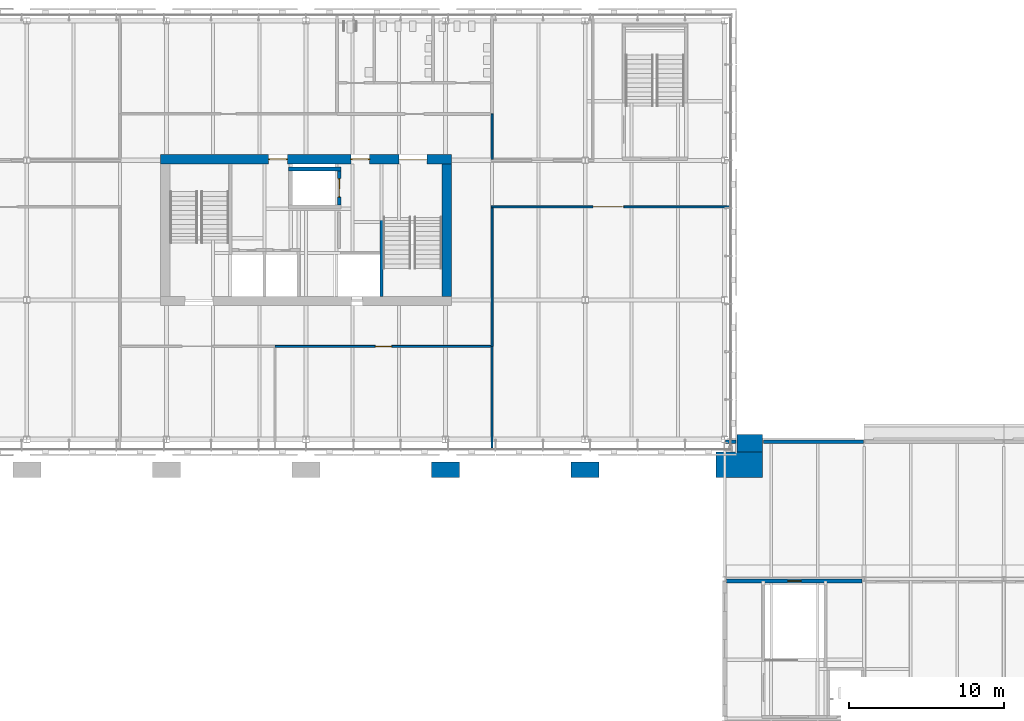
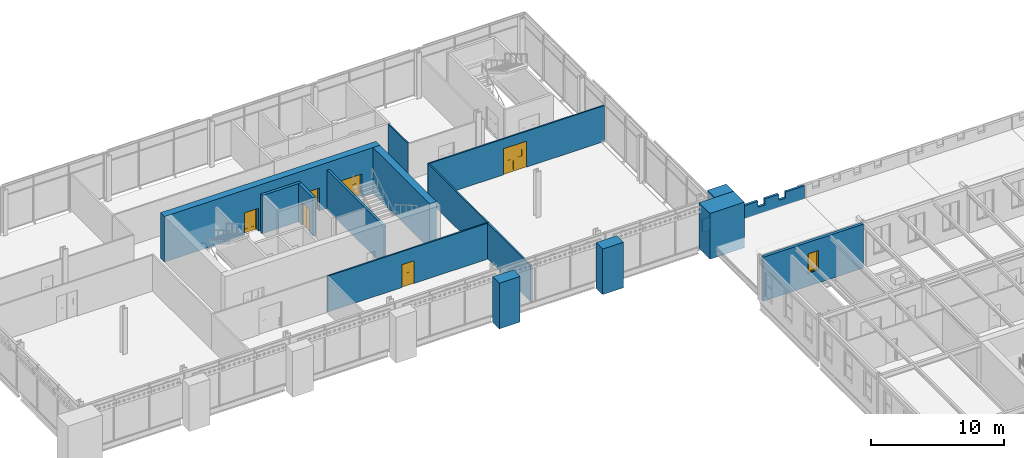
# One storey, part 69 of 123: 17 walls, 6 doors, 1 window, 7 openings.
"""IFC4 building model written with IfcOpenShell, lengths in metres."""

from ifc_helpers import new_model, si_unit, direction, frame, frame_2d, origin, place, context, subcontext, project, spatial, polyline, rectangle, outline, extrude, material, layer, layer_set, type_object, element, fill, save


model = new_model("IFC4")

# Units and contexts
model_context = context("Model", 3, precision=1e-05, world=origin(), true_north=direction((0.0, 1.0)))
body_context = subcontext(model_context, "Body", "Model", "MODEL_VIEW")
ifc_project = project(units=[si_unit("LENGTHUNIT", "METRE"), si_unit("AREAUNIT", "SQUARE_METRE"), si_unit("VOLUMEUNIT", "CUBIC_METRE"), si_unit("PLANEANGLEUNIT", "RADIAN"), si_unit("MASSUNIT", "GRAM", prefix="KILO")], contexts=[model_context])

# Site, building, storey
site_placement = place(None, origin())
site = spatial("IfcSite", under=ifc_project, at=site_placement, CompositionType="ELEMENT")
building_placement = place(site_placement, origin())
building = spatial("IfcBuilding", under=site, at=building_placement, Name="Baradari Gate Terminus", CompositionType="ELEMENT")
storey_placement = place(building_placement, frame((0.0, 0.0, 7.5)))
storey = spatial("IfcBuildingStorey", under=building, at=storey_placement, Name="L01", CompositionType="ELEMENT", Elevation=7.5)

# Wall, opening, door
ifc_material_1 = material(Name="Gypsum board")
ifc_layer_1 = layer(ifc_material_1, 0.125)
ifc_layer_set_1 = layer_set([ifc_layer_1], Name="Gypsum board")
wall_type_1 = type_object("IfcWallType", Name="Corridor partition PT-5 125 EI 30", PredefinedType="PARTITIONING", material=ifc_layer_set_1)
wall_1_placement = place(storey_placement, frame((47.925048828125, 123.0, 0.0), z_axis=(0.0, 0.0, 1.0), x_axis=(-1.0, 0.0, 0.0)))
wall_1 = element("IfcWall", 1, at=wall_1_placement, inside=storey, type_object=wall_type_1, Name="PT-5 partition Corridor / Staff Library", PredefinedType="PARTITIONING", context=body_context, shape_type="SweptSolid", body=[
    extrude(rectangle(XDim=13.925048828125, YDim=0.125, at=frame_2d((6.96240234375, 0.0))), origin(), (0.0, 0.0, 1.0), 3.306884765625),
])
opening_1_placement = place(wall_1_placement, frame((6.39990234375, 0.0, 0.0)))
opening_1 = element("IfcOpeningElement", 2, at=opening_1_placement, cuts=wall_1, Name="Opening D01-034", PredefinedType="OPENING", context=body_context, shape_type="SweptSolid", body=[
    extrude(rectangle(XDim=1.050048828125, YDim=2.10009765625, at=frame_2d((0.52490234375, 1.050048828125))), frame((0.0, 0.072509765625, 0.0), z_axis=(0.0, -1.0, 0.0), x_axis=(1.0, 0.0, 0.0)), (0.0, 0.0, 1.0), 0.14501953125),
])
ifc_material_2 = material(Name="Steel S275", Category="steel")
door_type_1 = type_object("IfcDoorType", Name="Fire door FI-1050-FD30S 1050x2100 FD30S", OperationType="SINGLE_SWING_LEFT", PredefinedType="DOOR", material=ifc_material_2)
door_1_placement = place(opening_1_placement, frame((1.050048828125, 0.0, 0.0), z_axis=(0.0, 0.0, 1.0), x_axis=(-1.0, 0.0, 0.0)))
door_1 = element("IfcDoor", 3, at=door_1_placement, inside=storey, type_object=door_type_1, Name="Door Staff Library", OperationType="SINGLE_SWING_RIGHT", OverallHeight=2.1, OverallWidth=1.05, PredefinedType="DOOR", context=body_context, shape_type="SweptSolid", body=[
    extrude(outline(polyline([(0.0, 0.0), (0.070068359375, 0.0), (0.070068359375, 2.030029296875), (0.97998046875, 2.030029296875), (0.97998046875, 0.0), (1.050048828125, 0.0), (1.050048828125, 2.10009765625), (0.0, 2.10009765625), (0.0, 0.0)])), frame((0.0, 0.02490234375, 0.0), z_axis=(0.0, -1.0, 0.0), x_axis=(1.0, 0.0, 0.0)), (0.0, 0.0, 1.0), 0.050048828125),
    extrude(outline(polyline([(0.073974609375, 0.010009765625), (0.97607421875, 0.010009765625), (0.97607421875, 2.026123046875), (0.073974609375, 2.026123046875), (0.073974609375, 0.010009765625)]), holes=[polyline([(0.194091796875, 0.159912109375), (0.85595703125, 0.159912109375), (0.85595703125, 1.010009765625), (0.194091796875, 1.010009765625), (0.194091796875, 0.159912109375)]), polyline([(0.375, 1.159912109375), (0.675048828125, 1.159912109375), (0.675048828125, 1.760009765625), (0.375, 1.760009765625), (0.375, 1.159912109375)])]), frame((0.0, 0.017333984375, 0.0), z_axis=(0.0, -1.0, 0.0), x_axis=(1.0, 0.0, 0.0)), (0.0, 0.0, 1.0), 0.034912109375),
    extrude(rectangle(XDim=0.661865234375, YDim=0.85009765625, at=frame_2d((0.52490234375, 0.5849609375))), frame((0.0, 0.008544921875, 0.0), z_axis=(0.0, -1.0, 0.0), x_axis=(1.0, 0.0, 0.0)), (0.0, 0.0, 1.0), 0.017333984375),
    extrude(rectangle(XDim=0.300048828125, YDim=0.60009765625, at=frame_2d((0.52490234375, 1.4599609375))), frame((0.0, 0.005859375, 0.0), z_axis=(0.0, -1.0, 0.0), x_axis=(1.0, 0.0, 0.0)), (0.0, 0.0, 1.0), 0.011962890625),
])
fill(opening_1, door_1)

wall_2_placement = place(storey_placement, frame((63.300048828125, 132.0, 0.0), z_axis=(0.0, 0.0, 1.0), x_axis=(-1.0, 0.0, 0.0)))
wall_2 = element("IfcWall", 4, at=wall_2_placement, inside=storey, type_object=wall_type_1, Name="PT-5 partition Corridor / Conference Hall", PredefinedType="PARTITIONING", context=body_context, shape_type="SweptSolid", body=[
    extrude(rectangle(XDim=15.362548828125, YDim=0.125, at=frame_2d((7.68115234375, 0.0))), origin(), (0.0, 0.0, 1.0), 3.306884765625),
])
opening_2_placement = place(wall_2_placement, frame((6.800048828125, 0.0, 0.0)))
opening_2 = element("IfcOpeningElement", 5, at=opening_2_placement, cuts=wall_2, Name="Opening D01-030", PredefinedType="OPENING", context=body_context, shape_type="SweptSolid", body=[
    extrude(rectangle(XDim=2.0, YDim=2.39990234375, at=frame_2d((1.0, 1.199951171875))), frame((0.0, 0.072509765625, 0.0), z_axis=(0.0, -1.0, 0.0), x_axis=(1.0, 0.0, 0.0)), (0.0, 0.0, 1.0), 0.14501953125),
])
ifc_material_3 = material(Name="Steel S275", Category="steel")
door_type_2 = type_object("IfcDoorType", Name="Fire door FI-2000x2400-FD30S 2000x2400 FD30S", OperationType="DOUBLE_DOOR_SINGLE_SWING", PredefinedType="DOOR", material=ifc_material_3)
door_2_placement = place(opening_2_placement, origin())
door_2 = element("IfcDoor", 6, at=door_2_placement, inside=storey, type_object=door_type_2, Name="Door Conference Hall", OperationType="DOUBLE_DOOR_SINGLE_SWING", OverallHeight=2.4, OverallWidth=2.0, PredefinedType="DOOR", context=body_context, shape_type="SweptSolid", body=[
    extrude(outline(polyline([(0.0, 0.0), (0.070068359375, 0.0), (0.070068359375, 2.329833984375), (1.929931640625, 2.329833984375), (1.929931640625, 0.0), (2.0, 0.0), (2.0, 2.39990234375), (0.0, 2.39990234375), (0.0, 0.0)])), frame((0.0, 0.02490234375, 0.0), z_axis=(0.0, -1.0, 0.0), x_axis=(1.0, 0.0, 0.0)), (0.0, 0.0, 1.0), 0.050048828125),
    extrude(outline(polyline([(0.073974609375, 0.010009765625), (0.9970703125, 0.010009765625), (0.9970703125, 2.325927734375), (0.073974609375, 2.325927734375), (0.073974609375, 0.010009765625)]), holes=[polyline([(0.194091796875, 0.159912109375), (0.876953125, 0.159912109375), (0.876953125, 1.010009765625), (0.194091796875, 1.010009765625), (0.194091796875, 0.159912109375)]), polyline([(0.385498046875, 1.159912109375), (0.685546875, 1.159912109375), (0.685546875, 1.760009765625), (0.385498046875, 1.760009765625), (0.385498046875, 1.159912109375)])]), frame((0.0, 0.017333984375, 0.0), z_axis=(0.0, -1.0, 0.0), x_axis=(1.0, 0.0, 0.0)), (0.0, 0.0, 1.0), 0.034912109375),
    extrude(rectangle(XDim=0.682861328125, YDim=0.85009765625, at=frame_2d((0.53564453125, 0.5849609375))), frame((0.0, 0.008544921875, 0.0), z_axis=(0.0, -1.0, 0.0), x_axis=(1.0, 0.0, 0.0)), (0.0, 0.0, 1.0), 0.017333984375),
    extrude(rectangle(XDim=0.300048828125, YDim=0.60009765625, at=frame_2d((0.53564453125, 1.4599609375))), frame((0.0, 0.005859375, 0.0), z_axis=(0.0, -1.0, 0.0), x_axis=(1.0, 0.0, 0.0)), (0.0, 0.0, 1.0), 0.011962890625),
    extrude(outline(polyline([(1.0029296875, 0.010009765625), (1.926025390625, 0.010009765625), (1.926025390625, 2.325927734375), (1.0029296875, 2.325927734375), (1.0029296875, 0.010009765625)]), holes=[polyline([(1.123046875, 0.159912109375), (1.805908203125, 0.159912109375), (1.805908203125, 1.010009765625), (1.123046875, 1.010009765625), (1.123046875, 0.159912109375)]), polyline([(1.314453125, 1.159912109375), (1.614501953125, 1.159912109375), (1.614501953125, 1.760009765625), (1.314453125, 1.760009765625), (1.314453125, 1.159912109375)])]), frame((0.0, 0.017333984375, 0.0), z_axis=(0.0, -1.0, 0.0), x_axis=(1.0, 0.0, 0.0)), (0.0, 0.0, 1.0), 0.034912109375),
    extrude(rectangle(XDim=0.682861328125, YDim=0.85009765625, at=frame_2d((1.46435546875, 0.5849609375))), frame((0.0, 0.008544921875, 0.0), z_axis=(0.0, -1.0, 0.0), x_axis=(1.0, 0.0, 0.0)), (0.0, 0.0, 1.0), 0.017333984375),
    extrude(rectangle(XDim=0.300048828125, YDim=0.60009765625, at=frame_2d((1.46435546875, 1.4599609375))), frame((0.0, 0.005859375, 0.0), z_axis=(0.0, -1.0, 0.0), x_axis=(1.0, 0.0, 0.0)), (0.0, 0.0, 1.0), 0.011962890625),
])
fill(opening_2, door_2)

# Walls
wall_3_placement = place(storey_placement, frame((48.0, 131.9375, 0.0), z_axis=(0.0, 0.0, 1.0), x_axis=(0.0, -1.0, 0.0)))
element("IfcWall", 7, at=wall_3_placement, inside=storey, type_object=wall_type_1, Name="PT-5 partition Corridor / Conference Hall", PredefinedType="PARTITIONING", context=body_context, shape_type="SweptSolid", body=[
    extrude(rectangle(XDim=8.9375, YDim=0.125, at=frame_2d((4.46875, 0.0))), origin(), (0.0, 0.0, 1.0), 3.306884765625),
])
wall_4_placement = place(storey_placement, frame((48.0, 138.0, 0.0), z_axis=(0.0, 0.0, 1.0), x_axis=(0.0, -1.0, 0.0)))
element("IfcWall", 8, at=wall_4_placement, inside=storey, type_object=wall_type_1, Name="PT-5 partition Corridor / Prayer Room", PredefinedType="PARTITIONING", context=body_context, shape_type="SweptSolid", body=[
    extrude(rectangle(XDim=2.9375, YDim=0.125, at=frame_2d((1.46875, 0.0))), origin(), (0.0, 0.0, 1.0), 3.306884765625),
])
ifc_material_4 = material(Name="Concrete C32/40", Category="concrete")
ifc_layer_2 = layer(ifc_material_4, 0.25)
ifc_layer_set_2 = layer_set([ifc_layer_2], Name="Concrete C32/40")
wall_type_2 = type_object("IfcWallType", Name="Firefighting lift shaft wall SH-2 250 EI 120", PredefinedType="SOLIDWALL", material=ifc_layer_set_2)
wall_5_placement = place(storey_placement, frame((34.875, 134.449951171875, 0.0), z_axis=(0.0, 0.0, 1.0), x_axis=(1.0, 0.0, 0.0)))
element("IfcWall", 9, at=wall_5_placement, inside=storey, type_object=wall_type_2, Name="Lift shaft wall LT3 L01 N", PredefinedType="SOLIDWALL", context=body_context, shape_type="SweptSolid", body=[
    extrude(rectangle(XDim=3.39990234375, YDim=0.25, at=frame_2d((1.699951171875, 0.0))), origin(), (0.0, 0.0, 1.0), 3.51611328125),
])

# Wall, opening, door
wall_6_placement = place(storey_placement, frame((38.14990234375, 132.125, 0.0), z_axis=(0.0, 0.0, 1.0), x_axis=(0.0, 1.0, 0.0)))
wall_6 = element("IfcWall", 10, at=wall_6_placement, inside=storey, type_object=wall_type_2, Name="Lift shaft wall LT3 L01 E", PredefinedType="SOLIDWALL", context=body_context, shape_type="SweptSolid", body=[
    extrude(rectangle(XDim=2.199951171875, YDim=0.25, at=frame_2d((1.10009765625, 0.0))), origin(), (0.0, 0.0, 1.0), 3.51611328125),
])
opening_3_placement = place(wall_6_placement, frame((0.5, 0.0, 0.0)))
opening_3 = element("IfcOpeningElement", 11, at=opening_3_placement, cuts=wall_6, Name="Opening D01-016", PredefinedType="OPENING", context=body_context, shape_type="SweptSolid", body=[
    extrude(rectangle(XDim=1.199951171875, YDim=2.10009765625, at=frame_2d((0.60009765625, 1.050048828125))), frame((0.0, 0.135009765625, 0.0), z_axis=(0.0, -1.0, 0.0), x_axis=(1.0, 0.0, 0.0)), (0.0, 0.0, 1.0), 0.27001953125),
])
ifc_material_5 = material(Name="Stainless steel 1.4301", Category="steel")
door_type_3 = type_object("IfcDoorType", Name="Lift landing door LD2 1200x2100 E 120", OperationType="SLIDING_TO_LEFT", PredefinedType="DOOR", material=ifc_material_5)
door_3_placement = place(opening_3_placement, origin())
door_3 = element("IfcDoor", 12, at=door_3_placement, inside=storey, type_object=door_type_3, Name="Lift landing door LT3 L01", OperationType="SLIDING_TO_LEFT", OverallHeight=2.1, OverallWidth=1.2, PredefinedType="DOOR", context=body_context, shape_type="SweptSolid", body=[
    extrude(outline(polyline([(0.0, 0.0), (0.070068359375, 0.0), (0.070068359375, 2.030029296875), (1.1298828125, 2.030029296875), (1.1298828125, 0.0), (1.199951171875, 0.0), (1.199951171875, 2.10009765625), (0.0, 2.10009765625), (0.0, 0.0)])), frame((0.0, 0.02490234375, 0.0), z_axis=(0.0, -1.0, 0.0), x_axis=(1.0, 0.0, 0.0)), (0.0, 0.0, 1.0), 0.050048828125),
    extrude(rectangle(XDim=0.57861328125, YDim=2.01611328125, at=frame_2d((0.36328125, 1.01806640625))), frame((0.0, 0.017822265625, 0.0), z_axis=(0.0, -1.0, 0.0), x_axis=(1.0, 0.0, 0.0)), (0.0, 0.0, 1.0), 0.015869140625),
    extrude(rectangle(XDim=0.57470703125, YDim=2.01611328125, at=frame_2d((0.838623046875, 1.01806640625))), frame((0.0, -0.002197265625, 0.0), z_axis=(0.0, -1.0, 0.0), x_axis=(1.0, 0.0, 0.0)), (0.0, 0.0, 1.0), 0.015869140625),
])
fill(opening_3, door_3)

# Wall, opening, window
ifc_material_6 = material(Name="Laterite masonry", Category="masonry")
ifc_layer_3 = layer(ifc_material_6, 0.25)
ifc_layer_set_3 = layer_set([ifc_layer_3], Name="Laterite masonry")
wall_type_3 = type_object("IfcWallType", Name="Laterite masonry wall WP-1 250", PredefinedType="SOLIDWALL", material=ifc_layer_set_3)
wall_7_placement = place(storey_placement, frame((63.128173828125, 107.87841796875, 0.0), z_axis=(0.0, 0.0, 1.0), x_axis=(1.0, 0.0, 0.0)))
wall_7 = element("IfcWall", 13, at=wall_7_placement, inside=storey, type_object=wall_type_3, Name="arcade gallery wall HN bay 8 L01", PredefinedType="SOLIDWALL", context=body_context, shape_type="SweptSolid", body=[
    extrude(rectangle(XDim=8.74365234375, YDim=0.25, at=frame_2d((4.371826171875, 0.0))), origin(), (0.0, 0.0, 1.0), 4.050048828125),
])
opening_4_placement = place(wall_7_placement, frame((3.921875, 0.0, 1.199951171875)))
opening_4 = element("IfcOpeningElement", 14, at=opening_4_placement, cuts=wall_7, Name="Opening W6", PredefinedType="OPENING", context=body_context, shape_type="SweptSolid", body=[
    extrude(rectangle(XDim=0.89990234375, YDim=1.800048828125, at=frame_2d((0.449951171875, 0.89990234375))), frame((0.0, 0.135009765625, 0.0), z_axis=(0.0, -1.0, 0.0), x_axis=(1.0, 0.0, 0.0)), (0.0, 0.0, 1.0), 0.27001953125),
])
ifc_material_7 = material(Name="Aluminium 6063-T6", Category="aluminium")
window_type = type_object("IfcWindowType", Name="Stair light W6 900x1800", PartitioningType="SINGLE_PANEL", PredefinedType="WINDOW", material=ifc_material_7)
window_placement = place(opening_4_placement, origin())
window = element("IfcWindow", 15, at=window_placement, inside=storey, type_object=window_type, Name="Window W6 HN/07", OverallHeight=1.8, OverallWidth=0.9, PartitioningType="SINGLE_PANEL", PredefinedType="WINDOW", context=body_context, shape_type="SweptSolid", body=[
    extrude(outline(polyline([(0.0, 0.0), (0.89990234375, 0.0), (0.89990234375, 1.800048828125), (0.0, 1.800048828125), (0.0, 0.0)]), holes=[polyline([(0.070068359375, 0.070068359375), (0.829833984375, 0.070068359375), (0.829833984375, 1.72998046875), (0.070068359375, 1.72998046875), (0.070068359375, 0.070068359375)])]), frame((0.0, 0.030029296875, 0.0), z_axis=(0.0, -1.0, 0.0), x_axis=(1.0, 0.0, 0.0)), (0.0, 0.0, 1.0), 0.06005859375),
    extrude(outline(polyline([(0.070068359375, 0.070068359375), (0.829833984375, 0.070068359375), (0.829833984375, 1.72998046875), (0.070068359375, 1.72998046875), (0.070068359375, 0.070068359375)]), holes=[polyline([(0.10009765625, 0.10009765625), (0.7998046875, 0.10009765625), (0.7998046875, 1.699951171875), (0.10009765625, 1.699951171875), (0.10009765625, 0.10009765625)])]), frame((0.0, 0.0224609375, 0.0), z_axis=(0.0, -1.0, 0.0), x_axis=(1.0, 0.0, 0.0)), (0.0, 0.0, 1.0), 0.044921875),
    extrude(rectangle(XDim=0.69970703125, YDim=1.599853515625, at=frame_2d((0.449951171875, 0.89990234375))), frame((0.0, 0.006103515625, 0.0), z_axis=(0.0, -1.0, 0.0), x_axis=(1.0, 0.0, 0.0)), (0.0, 0.0, 1.0), 0.01220703125),
])
fill(opening_4, window)

# Wall, openings, doors
ifc_material_8 = material(Name="Concrete C40/50", Category="concrete")
ifc_layer_4 = layer(ifc_material_8, 0.60009765625)
ifc_layer_set_4 = layer_set([ifc_layer_4], Name="Concrete C40/50")
wall_type_4 = type_object("IfcWallType", Name="Operations block core wall CWL01 600", PredefinedType="SOLIDWALL", material=ifc_layer_set_4)
wall_8_placement = place(storey_placement, frame((26.625, 135.074951171875, 0.0), z_axis=(0.0, 0.0, 1.0), x_axis=(1.0, 0.0, 0.0)))
wall_8 = element("IfcWall", 16, at=wall_8_placement, inside=storey, type_object=wall_type_4, Name="Operations block core wall CT N L01", PredefinedType="SOLIDWALL", context=body_context, shape_type="SweptSolid", body=[
    extrude(rectangle(XDim=18.75, YDim=0.60009765625, at=frame_2d((9.375, 0.0))), origin(), (0.0, 0.0, 1.0), 4.199951171875),
])
opening_5_placement = place(wall_8_placement, frame((15.375, 0.0, 0.0)))
opening_5 = element("IfcOpeningElement", 17, at=opening_5_placement, cuts=wall_8, Name="Opening D01-018", PredefinedType="OPENING", context=body_context, shape_type="SweptSolid", body=[
    extrude(rectangle(XDim=1.800048828125, YDim=2.10009765625, at=frame_2d((0.89990234375, 1.050048828125))), frame((0.0, 0.31005859375, 0.0), z_axis=(0.0, -1.0, 0.0), x_axis=(1.0, 0.0, 0.0)), (0.0, 0.0, 1.0), 0.6201171875),
])
opening_6_placement = place(wall_8_placement, frame((6.97509765625, 0.0, 0.0)))
opening_6 = element("IfcOpeningElement", 18, at=opening_6_placement, cuts=wall_8, Name="Opening D01-019", PredefinedType="OPENING", context=body_context, shape_type="SweptSolid", body=[
    extrude(rectangle(XDim=1.199951171875, YDim=2.10009765625, at=frame_2d((0.60009765625, 1.050048828125))), frame((0.0, 0.31005859375, 0.0), z_axis=(0.0, -1.0, 0.0), x_axis=(1.0, 0.0, 0.0)), (0.0, 0.0, 1.0), 0.6201171875),
])
opening_7_placement = place(wall_8_placement, frame((12.27490234375, 0.0, 0.0)))
opening_7 = element("IfcOpeningElement", 19, at=opening_7_placement, cuts=wall_8, Name="Opening D01-020", PredefinedType="OPENING", context=body_context, shape_type="SweptSolid", body=[
    extrude(rectangle(XDim=1.199951171875, YDim=2.10009765625, at=frame_2d((0.60009765625, 1.050048828125))), frame((0.0, 0.31005859375, 0.0), z_axis=(0.0, -1.0, 0.0), x_axis=(1.0, 0.0, 0.0)), (0.0, 0.0, 1.0), 0.6201171875),
])
ifc_material_9 = material(Name="Steel S275", Category="steel")
door_type_4 = type_object("IfcDoorType", Name="Fire door FI-1200-FD90S 1200x2100 FD90S", OperationType="DOUBLE_DOOR_SINGLE_SWING", PredefinedType="DOOR", material=ifc_material_9)
door_4_placement = place(opening_6_placement, frame((1.199951171875, 0.0, 0.0), z_axis=(0.0, 0.0, 1.0), x_axis=(-1.0, 0.0, 0.0)))
door_4 = element("IfcDoor", 20, at=door_4_placement, inside=storey, type_object=door_type_4, Name="Door Lift Lobby", OperationType="DOUBLE_DOOR_SINGLE_SWING", OverallHeight=2.1, OverallWidth=1.2, PredefinedType="DOOR", context=body_context, shape_type="SweptSolid", body=[
    extrude(outline(polyline([(0.0, 0.0), (0.070068359375, 0.0), (0.070068359375, 2.030029296875), (1.1298828125, 2.030029296875), (1.1298828125, 0.0), (1.199951171875, 0.0), (1.199951171875, 2.10009765625), (0.0, 2.10009765625), (0.0, 0.0)])), frame((0.0, 0.02490234375, 0.0), z_axis=(0.0, -1.0, 0.0), x_axis=(1.0, 0.0, 0.0)), (0.0, 0.0, 1.0), 0.050048828125),
    extrude(outline(polyline([(0.073974609375, 0.010009765625), (0.596923828125, 0.010009765625), (0.596923828125, 2.026123046875), (0.073974609375, 2.026123046875), (0.073974609375, 0.010009765625)]), holes=[polyline([(0.178466796875, 0.372802734375), (0.492431640625, 0.372802734375), (0.492431640625, 1.7841796875), (0.178466796875, 1.7841796875), (0.178466796875, 0.372802734375)])]), frame((0.0, 0.017333984375, 0.0), z_axis=(0.0, -1.0, 0.0), x_axis=(1.0, 0.0, 0.0)), (0.0, 0.0, 1.0), 0.034912109375),
    extrude(rectangle(XDim=0.31396484375, YDim=1.411376953125, at=frame_2d((0.33544921875, 1.07861328125))), frame((0.0, 0.008544921875, 0.0), z_axis=(0.0, -1.0, 0.0), x_axis=(1.0, 0.0, 0.0)), (0.0, 0.0, 1.0), 0.017333984375),
    extrude(outline(polyline([(0.60302734375, 0.010009765625), (1.1259765625, 0.010009765625), (1.1259765625, 2.026123046875), (0.60302734375, 2.026123046875), (0.60302734375, 0.010009765625)]), holes=[polyline([(0.70751953125, 0.372802734375), (1.021484375, 0.372802734375), (1.021484375, 1.7841796875), (0.70751953125, 1.7841796875), (0.70751953125, 0.372802734375)])]), frame((0.0, 0.017333984375, 0.0), z_axis=(0.0, -1.0, 0.0), x_axis=(1.0, 0.0, 0.0)), (0.0, 0.0, 1.0), 0.034912109375),
    extrude(rectangle(XDim=0.31396484375, YDim=1.411376953125, at=frame_2d((0.864501953125, 1.07861328125))), frame((0.0, 0.008544921875, 0.0), z_axis=(0.0, -1.0, 0.0), x_axis=(1.0, 0.0, 0.0)), (0.0, 0.0, 1.0), 0.017333984375),
])
fill(opening_6, door_4)
door_5_placement = place(opening_7_placement, frame((1.199951171875, 0.0, 0.0), z_axis=(0.0, 0.0, 1.0), x_axis=(-1.0, 0.0, 0.0)))
door_5 = element("IfcDoor", 21, at=door_5_placement, inside=storey, type_object=door_type_4, Name="Door Lift Lobby (Fire-fighting)", OperationType="DOUBLE_DOOR_SINGLE_SWING", OverallHeight=2.1, OverallWidth=1.2, PredefinedType="DOOR", context=body_context, shape_type="SweptSolid", body=[
    extrude(outline(polyline([(0.0, 0.0), (0.070068359375, 0.0), (0.070068359375, 2.030029296875), (1.1298828125, 2.030029296875), (1.1298828125, 0.0), (1.199951171875, 0.0), (1.199951171875, 2.10009765625), (0.0, 2.10009765625), (0.0, 0.0)])), frame((0.0, 0.02490234375, 0.0), z_axis=(0.0, -1.0, 0.0), x_axis=(1.0, 0.0, 0.0)), (0.0, 0.0, 1.0), 0.050048828125),
    extrude(outline(polyline([(0.073974609375, 0.010009765625), (0.596923828125, 0.010009765625), (0.596923828125, 2.026123046875), (0.073974609375, 2.026123046875), (0.073974609375, 0.010009765625)]), holes=[polyline([(0.178466796875, 0.372802734375), (0.492431640625, 0.372802734375), (0.492431640625, 1.7841796875), (0.178466796875, 1.7841796875), (0.178466796875, 0.372802734375)])]), frame((0.0, 0.017333984375, 0.0), z_axis=(0.0, -1.0, 0.0), x_axis=(1.0, 0.0, 0.0)), (0.0, 0.0, 1.0), 0.034912109375),
    extrude(rectangle(XDim=0.31396484375, YDim=1.411376953125, at=frame_2d((0.33544921875, 1.07861328125))), frame((0.0, 0.008544921875, 0.0), z_axis=(0.0, -1.0, 0.0), x_axis=(1.0, 0.0, 0.0)), (0.0, 0.0, 1.0), 0.017333984375),
    extrude(outline(polyline([(0.60302734375, 0.010009765625), (1.1259765625, 0.010009765625), (1.1259765625, 2.026123046875), (0.60302734375, 2.026123046875), (0.60302734375, 0.010009765625)]), holes=[polyline([(0.70751953125, 0.372802734375), (1.021484375, 0.372802734375), (1.021484375, 1.7841796875), (0.70751953125, 1.7841796875), (0.70751953125, 0.372802734375)])]), frame((0.0, 0.017333984375, 0.0), z_axis=(0.0, -1.0, 0.0), x_axis=(1.0, 0.0, 0.0)), (0.0, 0.0, 1.0), 0.034912109375),
    extrude(rectangle(XDim=0.31396484375, YDim=1.411376953125, at=frame_2d((0.864501953125, 1.07861328125))), frame((0.0, 0.008544921875, 0.0), z_axis=(0.0, -1.0, 0.0), x_axis=(1.0, 0.0, 0.0)), (0.0, 0.0, 1.0), 0.017333984375),
])
fill(opening_7, door_5)
ifc_material_10 = material(Name="Steel S275", Category="steel")
door_type_5 = type_object("IfcDoorType", Name="Fire door FI-1800-FD90S 1800x2100 FD90S", OperationType="DOUBLE_DOOR_SINGLE_SWING", PredefinedType="DOOR", material=ifc_material_10)
door_6_placement = place(opening_5_placement, frame((1.800048828125, 0.0, 0.0), z_axis=(0.0, 0.0, 1.0), x_axis=(-1.0, 0.0, 0.0)))
door_6 = element("IfcDoor", 22, at=door_6_placement, inside=storey, type_object=door_type_5, Name="Door Stair (Core) 2", OperationType="DOUBLE_DOOR_SINGLE_SWING", OverallHeight=2.1, OverallWidth=1.8, PredefinedType="DOOR", context=body_context, shape_type="SweptSolid", body=[
    extrude(outline(polyline([(0.0, 0.0), (0.070068359375, 0.0), (0.070068359375, 2.030029296875), (1.72998046875, 2.030029296875), (1.72998046875, 0.0), (1.800048828125, 0.0), (1.800048828125, 2.10009765625), (0.0, 2.10009765625), (0.0, 0.0)])), frame((0.0, 0.02490234375, 0.0), z_axis=(0.0, -1.0, 0.0), x_axis=(1.0, 0.0, 0.0)), (0.0, 0.0, 1.0), 0.050048828125),
    extrude(outline(polyline([(0.073974609375, 0.010009765625), (0.89697265625, 0.010009765625), (0.89697265625, 2.026123046875), (0.073974609375, 2.026123046875), (0.073974609375, 0.010009765625)]), holes=[polyline([(0.194091796875, 0.159912109375), (0.77685546875, 0.159912109375), (0.77685546875, 1.010009765625), (0.194091796875, 1.010009765625), (0.194091796875, 0.159912109375)]), polyline([(0.33544921875, 1.159912109375), (0.635498046875, 1.159912109375), (0.635498046875, 1.760009765625), (0.33544921875, 1.760009765625), (0.33544921875, 1.159912109375)])]), frame((0.0, 0.017333984375, 0.0), z_axis=(0.0, -1.0, 0.0), x_axis=(1.0, 0.0, 0.0)), (0.0, 0.0, 1.0), 0.034912109375),
    extrude(rectangle(XDim=0.582763671875, YDim=0.85009765625, at=frame_2d((0.4853515625, 0.5849609375))), frame((0.0, 0.008544921875, 0.0), z_axis=(0.0, -1.0, 0.0), x_axis=(1.0, 0.0, 0.0)), (0.0, 0.0, 1.0), 0.017333984375),
    extrude(rectangle(XDim=0.300048828125, YDim=0.60009765625, at=frame_2d((0.4853515625, 1.4599609375))), frame((0.0, 0.005859375, 0.0), z_axis=(0.0, -1.0, 0.0), x_axis=(1.0, 0.0, 0.0)), (0.0, 0.0, 1.0), 0.011962890625),
    extrude(outline(polyline([(0.903076171875, 0.010009765625), (1.72607421875, 0.010009765625), (1.72607421875, 2.026123046875), (0.903076171875, 2.026123046875), (0.903076171875, 0.010009765625)]), holes=[polyline([(1.023193359375, 0.159912109375), (1.60595703125, 0.159912109375), (1.60595703125, 1.010009765625), (1.023193359375, 1.010009765625), (1.023193359375, 0.159912109375)]), polyline([(1.16455078125, 1.159912109375), (1.464599609375, 1.159912109375), (1.464599609375, 1.760009765625), (1.16455078125, 1.760009765625), (1.16455078125, 1.159912109375)])]), frame((0.0, 0.017333984375, 0.0), z_axis=(0.0, -1.0, 0.0), x_axis=(1.0, 0.0, 0.0)), (0.0, 0.0, 1.0), 0.034912109375),
    extrude(rectangle(XDim=0.582763671875, YDim=0.85009765625, at=frame_2d((1.314453125, 0.5849609375))), frame((0.0, 0.008544921875, 0.0), z_axis=(0.0, -1.0, 0.0), x_axis=(1.0, 0.0, 0.0)), (0.0, 0.0, 1.0), 0.017333984375),
    extrude(rectangle(XDim=0.300048828125, YDim=0.60009765625, at=frame_2d((1.314453125, 1.4599609375))), frame((0.0, 0.005859375, 0.0), z_axis=(0.0, -1.0, 0.0), x_axis=(1.0, 0.0, 0.0)), (0.0, 0.0, 1.0), 0.011962890625),
])
fill(opening_5, door_6)

# Walls
wall_9_placement = place(storey_placement, frame((45.074951171875, 126.22509765625, 0.0), z_axis=(0.0, 0.0, 1.0), x_axis=(0.0, 1.0, 0.0)))
element("IfcWall", 23, at=wall_9_placement, inside=storey, type_object=wall_type_4, Name="Operations block core wall CT E L01", PredefinedType="SOLIDWALL", context=body_context, shape_type="SweptSolid", body=[
    extrude(rectangle(XDim=8.5498046875, YDim=0.60009765625, at=frame_2d((4.27490234375, 0.0))), origin(), (0.0, 0.0, 1.0), 4.199951171875),
])
ifc_material_11 = material(Name="Laterite masonry", Category="masonry")
ifc_layer_5 = layer(ifc_material_11, 0.199951171875)
ifc_layer_set_5 = layer_set([ifc_layer_5], Name="Laterite masonry")
wall_type_5 = type_object("IfcWallType", Name="Parapet PW-4 200x1200 arcade", PredefinedType="PARAPET", material=ifc_layer_set_5)
wall_10_placement = place(storey_placement, frame((63.050048828125, 116.85009765625, 0.89990234375), z_axis=(0.0, 0.0, 1.0), x_axis=(1.0, 0.0, 0.0)))
element("IfcWall", 24, at=wall_10_placement, inside=storey, type_object=wall_type_5, Name="Merlon parapet 1.1a 1", PredefinedType="PARAPET", context=body_context, shape_type="SweptSolid", body=[
    extrude(outline(polyline([(0.0, 0.0), (0.695068359375, 0.0), (0.695068359375, 1.2001953125), (0.0, 1.2001953125), (0.0, 0.0)])), frame((0.0, 0.10009765625, 0.0), z_axis=(0.0, -1.0, 0.0), x_axis=(1.0, 0.0, 0.0)), (0.0, 0.0, 1.0), 0.199951171875),
])
wall_11_placement = place(storey_placement, frame((65.4951171875, 116.85009765625, 0.89990234375), z_axis=(0.0, 0.0, 1.0), x_axis=(1.0, 0.0, 0.0)))
element("IfcWall", 25, at=wall_11_placement, inside=storey, type_object=wall_type_5, Name="Merlon parapet 1.1b 1", PredefinedType="PARAPET", context=body_context, shape_type="SweptSolid", body=[
    extrude(outline(polyline([(4.800048828125, 1.2001953125), (4.800048828125, 0.650146484375), (4.199951171875, 0.650146484375), (4.199951171875, 1.2001953125), (3.0, 1.2001953125), (3.0, 0.650146484375), (2.39990234375, 0.650146484375), (2.39990234375, 1.2001953125), (1.199951171875, 1.2001953125), (1.199951171875, 0.650146484375), (0.60009765625, 0.650146484375), (0.60009765625, 1.2001953125), (0.0, 1.2001953125), (0.0, 0.0), (6.455078125, 0.0), (6.455078125, 1.2001953125), (4.800048828125, 1.2001953125)])), frame((0.0, 0.10009765625, 0.0), z_axis=(0.0, -1.0, 0.0), x_axis=(1.0, 0.0, 0.0)), (0.0, 0.0, 1.0), 0.199951171875),
])
ifc_material_12 = material(Name="Blockwork wall, plastered", Category="masonry")
ifc_layer_6 = layer(ifc_material_12, 0.14990234375)
ifc_layer_set_6 = layer_set([ifc_layer_6], Name="Blockwork wall, plastered")
wall_type_6 = type_object("IfcWallType", Name="Partition PT-2 150 EI 60", PredefinedType="PARTITIONING", material=ifc_layer_set_6)
wall_12_placement = place(storey_placement, frame((48.0, 116.449951171875, 0.0), z_axis=(0.0, 0.0, 1.0), x_axis=(0.0, 1.0, 0.0)))
element("IfcWall", 26, at=wall_12_placement, inside=storey, type_object=wall_type_6, Name="PT-2 partition Conference Hall / Staff Library", PredefinedType="PARTITIONING", context=body_context, shape_type="SweptSolid", body=[
    extrude(rectangle(XDim=6.550048828125, YDim=0.14990234375, at=frame_2d((3.27490234375, 0.0))), origin(), (0.0, 0.0, 1.0), 3.306884765625),
])
ifc_material_13 = material(Name="Concrete C40/50 precast", Category="concrete")
ifc_layer_7 = layer(ifc_material_13, 1.55)
ifc_material_14 = material(Name="Sandstone cladding", Category="masonry")
ifc_layer_8 = layer(ifc_material_14, 0.1)
ifc_layer_set_7 = layer_set([ifc_layer_7, ifc_layer_8], Name="Concrete C40/50 precast")
wall_type_7 = type_object("IfcWallType", Name="Sandstone-faced precast frame pier WQ-4 1650", PredefinedType="SOLIDWALL", material=ifc_layer_set_7)
wall_13_placement = place(storey_placement, frame((62.445068359375, 115.3798828125, 0.0), z_axis=(0.0, 0.0, 1.0), x_axis=(1.0, 0.0, 0.0)))
element("IfcWall", 27, at=wall_13_placement, inside=storey, type_object=wall_type_7, Name="Corner pilaster SE leg A L01", PredefinedType="SOLIDWALL", context=body_context, shape_type="SweptSolid", body=[
    extrude(rectangle(XDim=3.0, YDim=1.64990234375, at=frame_2d((1.5, 0.0))), origin(), (0.0, 0.0, 1.0), 4.199951171875),
])
wall_14_placement = place(storey_placement, frame((64.6201171875, 116.205078125, 0.0), z_axis=(0.0, 0.0, 1.0), x_axis=(0.0, 1.0, 0.0)))
element("IfcWall", 28, at=wall_14_placement, inside=storey, type_object=wall_type_7, Name="Corner pilaster SE leg B L01", PredefinedType="SOLIDWALL", context=body_context, shape_type="SweptSolid", body=[
    extrude(rectangle(XDim=1.099853515625, YDim=1.64990234375, at=frame_2d((0.5498046875, 0.0))), origin(), (0.0, 0.0, 1.0), 4.199951171875),
])
ifc_layer_9 = layer(ifc_material_13, 0.9)
ifc_layer_10 = layer(ifc_material_14, 0.1)
ifc_layer_set_8 = layer_set([ifc_layer_9, ifc_layer_10], Name="Concrete C40/50 precast")
wall_type_8 = type_object("IfcWallType", Name="Sandstone-faced precast grid pier WQ-6 1000", PredefinedType="SOLIDWALL", material=ifc_layer_set_8)
for number, where, z_axis, x_axis, name in (
    (29, (44.10009765625, 115.054931640625, 0.0), (0.0, 0.0, 1.0), (1.0, 0.0, 0.0), "Frame pier S face bay 2 a L01"),
    (30, (53.10009765625, 115.054931640625, 0.0), (0.0, 0.0, 1.0), (1.0, 0.0, 0.0), "Frame pier S face bay 2 b L01"),
):
    element("IfcWall", number, at=place(storey_placement, frame(where, z_axis=z_axis, x_axis=x_axis)), inside=storey, type_object=wall_type_8, Name=name, PredefinedType="SOLIDWALL", context=body_context, shape_type="SweptSolid", body=[
        extrude(rectangle(XDim=1.7998046875, YDim=1.0, at=frame_2d((0.89990234375, 0.0))), origin(), (0.0, 0.0, 1.0), 4.199951171875),
    ])
ifc_material_15 = material(Name="Concrete C40/50", Category="concrete")
ifc_layer_11 = layer(ifc_material_15, 0.199951171875)
ifc_layer_set_9 = layer_set([ifc_layer_11], Name="Concrete C40/50")
wall_type_9 = type_object("IfcWallType", Name="Stair enclosure wall SE-1 200 EI 120", PredefinedType="SOLIDWALL", material=ifc_layer_set_9)
wall_15_placement = place(storey_placement, frame((40.875, 126.22705078125, -0.1298828125), z_axis=(0.0, 0.0, 1.0), x_axis=(0.0, 1.0, 0.0)))
element("IfcWall", 31, at=wall_15_placement, inside=storey, type_object=wall_type_9, Name="Stair enclosure wall SE-1 ST-T2 L01 W", PredefinedType="SOLIDWALL", context=body_context, shape_type="SweptSolid", body=[
    extrude(rectangle(XDim=8.5458984375, YDim=0.199951171875, at=frame_2d((4.27294921875, 0.0))), origin(), (0.0, 0.0, 1.0), 3.665771484375),
])

save(model, "model.ifc")
